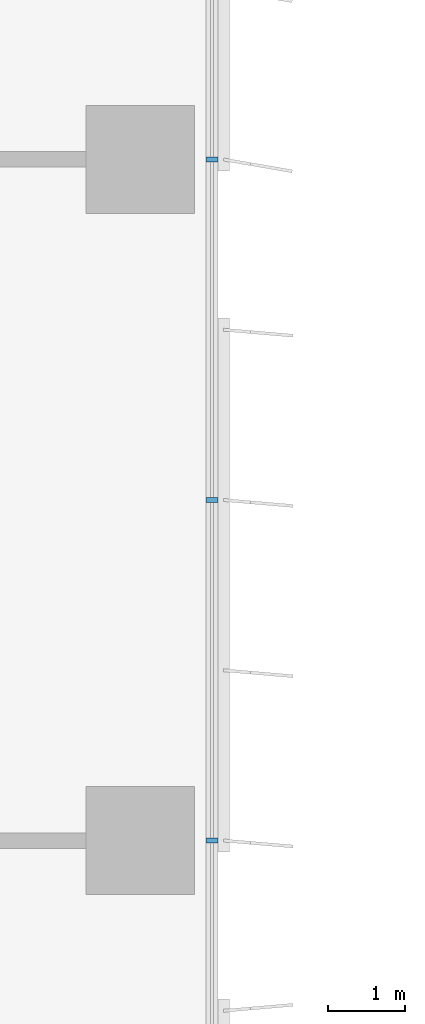
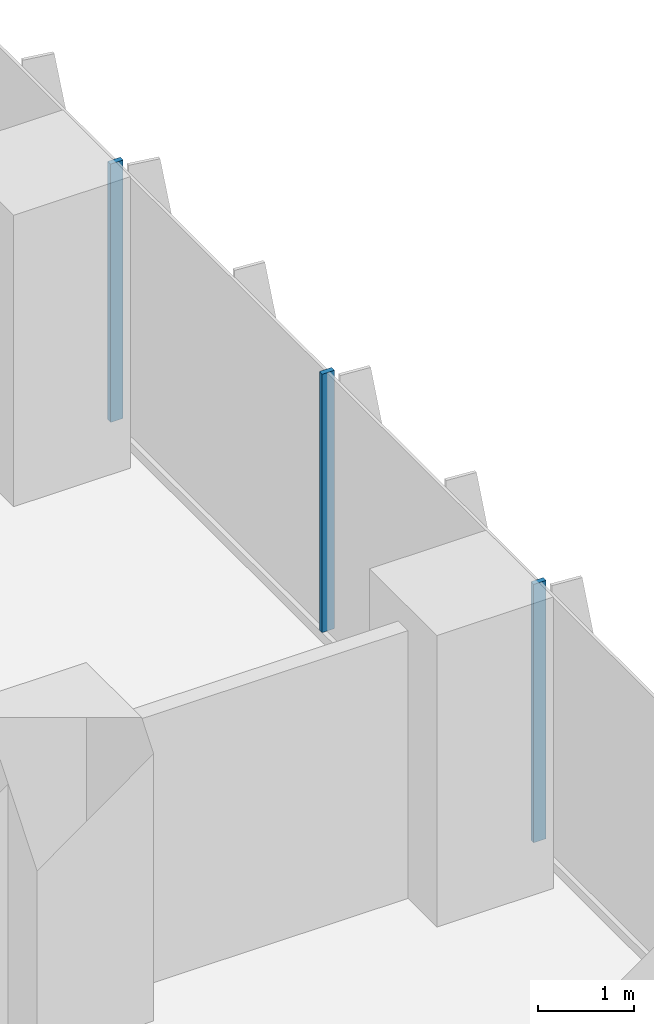
# One storey, part 7 of 24: 3 members, 1 element without a shape of its own.
"""IFC4 building model written with IfcOpenShell, lengths in metres."""

from ifc_helpers import new_model, si_unit, direction, frame, origin, origin_2d, place, context, subcontext, project, spatial, rectangle, extrude, source, transform, mapped, material, material_profile, profile_set, type_object, element, aggregate, save


model = new_model("IFC4")

# Units and contexts
model_context = context("Model", 3, precision=1e-05, world=origin(), true_north=direction((0.0, 1.0)))
body_context = subcontext(model_context, "Body", "Model", "MODEL_VIEW")
ifc_project = project(units=[si_unit("LENGTHUNIT", "METRE"), si_unit("AREAUNIT", "SQUARE_METRE"), si_unit("VOLUMEUNIT", "CUBIC_METRE"), si_unit("PLANEANGLEUNIT", "RADIAN"), si_unit("MASSUNIT", "GRAM", prefix="KILO")], contexts=[model_context])

# Site, building, storey
site_placement = place(None, origin())
site = spatial("IfcSite", under=ifc_project, at=site_placement, CompositionType="ELEMENT")
building_placement = place(site_placement, origin())
building = spatial("IfcBuilding", under=site, at=building_placement, Name="Kemantara Hotel Tower", CompositionType="ELEMENT")
storey_placement = place(building_placement, frame((0.0, 0.0, 37.699951171875)))
storey = spatial("IfcBuildingStorey", under=building, at=storey_placement, Name="L07", CompositionType="ELEMENT", Elevation=37.699951171875)

# Curtain wall, members
ifc_material_1 = material(Name="Low-E tinted double insulated glass 36 mm", Category="glass")
curtain_wall_type = type_object("IfcCurtainWallType", Name="TOWER CURTAIN WALL, FRONT FACES", PredefinedType="USERDEFINED", material=ifc_material_1)
curtain_wall_placement = place(storey_placement, origin())
curtain_wall = element("IfcCurtainWall", 1, at=curtain_wall_placement, inside=storey, type_object=curtain_wall_type, Name="CW4 L07 T1-R08-1", ObjectType="TOWER CURTAIN WALL, FRONT FACES", PredefinedType="USERDEFINED")
ifc_material_2 = material(Name="Aluminium 6063-T6 bronze anodised", Category="aluminium")
ifc_material_profile = material_profile(ifc_material_2, rectangle(XDim=0.14990234375, YDim=0.06005859375, at=origin_2d()), Name="TOWER CURTAIN WALL, FRONT FACES MULLION")
ifc_profile_set = profile_set([ifc_material_profile], Name="Aluminium 6063-T6 bronze anodised")
member_type = type_object("IfcMemberType", Name="TOWER CURTAIN WALL, FRONT FACES MULLION", PredefinedType="MULLION", material=ifc_profile_set)
shared_shape = source(origin(), body_context, "Body", "SweptSolid", [
    extrude(rectangle(XDim=0.14990234375, YDim=0.06005859375, at=origin_2d()), origin(), (0.0, 0.0, 1.0), 3.280029296875),
])
member_1_placement = place(storey_placement, frame((26.72509765625, 53.800048828125, 0.1201171875), z_axis=(0.0, 0.0, 1.0), x_axis=(-1.0, 0.0, 0.0)))
member_1 = element("IfcMember", 2, at=member_1_placement, type_object=member_type, Name="CW4 mullion T1-R08-1.8", PredefinedType="MULLION", context=body_context, shape_type="MappedRepresentation", body=[
    mapped(shared_shape, transform((0.0, 0.0, 0.0))),
])
member_2_placement = place(storey_placement, frame((26.72509765625, 58.199951171875, 0.1201171875), z_axis=(0.0, 0.0, 1.0), x_axis=(-1.0, 0.0, 0.0)))
member_2 = element("IfcMember", 3, at=member_2_placement, type_object=member_type, Name="CW4 mullion T1-R08-1.9", PredefinedType="MULLION", context=body_context, shape_type="MappedRepresentation", body=[
    mapped(shared_shape, transform((0.0, 0.0, 0.0))),
])
member_3_placement = place(storey_placement, frame((26.72509765625, 62.60009765625, 0.1201171875), z_axis=(0.0, 0.0, 1.0), x_axis=(-1.0, 0.0, 0.0)))
member_3 = element("IfcMember", 4, at=member_3_placement, type_object=member_type, Name="CW4 mullion T1-R08-1.10", PredefinedType="MULLION", context=body_context, shape_type="MappedRepresentation", body=[
    mapped(shared_shape, transform((0.0, 0.0, 0.0))),
])
aggregate(curtain_wall, [member_1, member_2, member_3])

save(model, "model.ifc")
